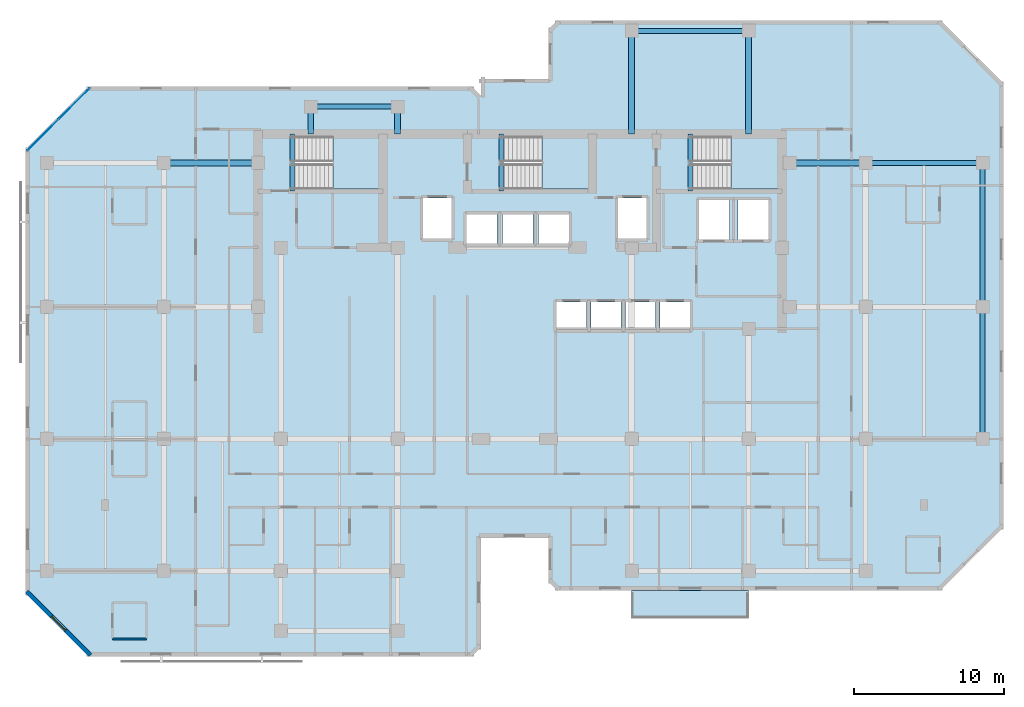
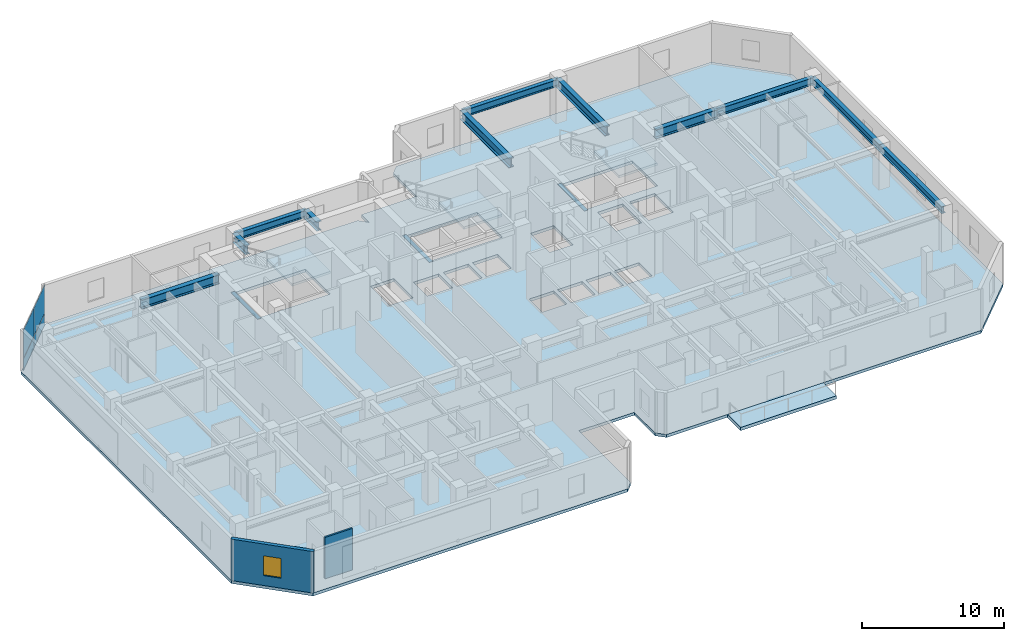
# One storey, part 3 of 11: 14 beams, 5 slabs, 4 plates, 2 walls, 1 window, 1 opening, 4 elements without a shape of their own.
"""IFC4 building model written with IfcOpenShell, lengths in metres."""

import ifcopenshell
import ifcopenshell.guid

model = None  # the IFC model being written
_history = None  # IfcOwnerHistory: only IFC2X3 demands one
_inside = {}  # id of a spatial element -> (the spatial element, [elements in it])
_under = {}  # id of a project, library or spatial element -> (it, [spatial elements below it])
_declared = {}  # id of a project -> (the project, [libraries it declares])
_typed = {}  # id of a type object -> (the type object, [elements of that type])
_made_of = {}  # id of a material, layer set ... -> (it, [elements and type objects made of it])


def new_model(schema):
    """Start an empty IFC model of exactly this schema.

    Asked for "IFC4X3", IfcOpenShell would pick the latest addendum, in which some entities
    have other attributes; the version numbers below select the first issue.
    IFC2X3 requires an IfcOwnerHistory on every rooted entity: one is made here for all.
    """
    global model, _history
    if schema == "IFC4X3":
        model = ifcopenshell.file(schema_version=(4, 3, 0, 0))
    else:
        model = ifcopenshell.file(schema=schema)
    _inside.clear()
    _under.clear()
    _declared.clear()
    _typed.clear()
    _made_of.clear()
    _history = None
    if model.schema == "IFC2X3":
        org = make("IfcOrganization", Name="unknown")
        user = make(
            "IfcPersonAndOrganization",
            ThePerson=make("IfcPerson", FamilyName="unknown"),
            TheOrganization=org,
        )
        app = make(
            "IfcApplication",
            ApplicationDeveloper=org,
            Version="unknown",
            ApplicationFullName="unknown",
            ApplicationIdentifier="unknown",
        )
        _history = make(
            "IfcOwnerHistory",
            OwningUser=user,
            OwningApplication=app,
            ChangeAction="ADDED",
            CreationDate=0,
        )
    return model


def make(cls, **values):
    """One entity of the class cls with the attributes given. An attribute that is None is left unset."""
    return model.create_entity(
        cls, **{name: value for name, value in values.items() if value is not None}
    )


def rooted(cls, **values):
    """An entity with a GlobalId (a new one), such as an element, a storey or a relation."""
    return make(cls, GlobalId=ifcopenshell.guid.new(), OwnerHistory=_history, **values)


def si_unit(unit_type, name, prefix=None):
    """IfcSIUnit, for example si_unit("LENGTHUNIT", "METRE", prefix="MILLI")."""
    return make("IfcSIUnit", UnitType=unit_type, Prefix=prefix, Name=name)


def assignment(units):
    """IfcUnitAssignment: the units of a project."""
    return None if units is None else make("IfcUnitAssignment", Units=units)


def point(xyz):
    """IfcCartesianPoint."""
    return None if xyz is None else make("IfcCartesianPoint", Coordinates=xyz)


def direction(xyz):
    """IfcDirection."""
    return None if xyz is None else make("IfcDirection", DirectionRatios=xyz)


def frame(location, z_axis=None, x_axis=None):
    """IfcAxis2Placement3D, a coordinate frame: its origin and axes. An axis left out is left unset."""
    return make(
        "IfcAxis2Placement3D",
        Location=point(location),
        Axis=direction(z_axis),
        RefDirection=direction(x_axis),
    )


def frame_2d(location, x_axis=None):
    """IfcAxis2Placement2D, a coordinate frame in the plane: its origin and x axis."""
    return make(
        "IfcAxis2Placement2D", Location=point(location), RefDirection=direction(x_axis)
    )


def origin():
    """The frame at (0, 0, 0) with its axes left unset."""
    return frame((0.0, 0.0, 0.0))


def origin_2d():
    """The frame at (0, 0) in the plane with its x axis left unset."""
    return frame_2d((0.0, 0.0))


def place(relative_to, where):
    """IfcLocalPlacement: puts the frame where relative to a parent placement (None: the world)."""
    return make(
        "IfcLocalPlacement", PlacementRelTo=relative_to, RelativePlacement=where
    )


def context(
    kind, dimensions, precision=None, world=None, true_north=None, identifier=None
):
    """IfcGeometricRepresentationContext, for example the 3D "Model" context."""
    return make(
        "IfcGeometricRepresentationContext",
        ContextIdentifier=identifier,
        ContextType=kind,
        CoordinateSpaceDimension=dimensions,
        Precision=precision,
        WorldCoordinateSystem=world,
        TrueNorth=true_north,
    )


def subcontext(parent, identifier, kind, view, scale=None):
    """IfcGeometricRepresentationSubContext, for example "Body" below "Model"."""
    return make(
        "IfcGeometricRepresentationSubContext",
        ContextIdentifier=identifier,
        ContextType=kind,
        ParentContext=parent,
        TargetScale=scale,
        TargetView=view,
    )


def project(units=None, contexts=None):
    """IfcProject with its units and contexts."""
    return rooted(
        "IfcProject",
        Name="project",
        RepresentationContexts=contexts,
        UnitsInContext=assignment(units),
    )


def spatial(cls, under=None, at=None, **own):
    """A site, building, storey or space (cls), placed at a placement, below another one or the project."""
    s = rooted(cls, ObjectPlacement=at, **own)
    if under is not None:
        _under.setdefault(under.id(), (under, []))[1].append(s)
    return s


def polyline(points):
    """IfcPolyline through the points."""
    return make("IfcPolyline", Points=[point(p) for p in points])


def profile(cls, at=None, kind="AREA", **sizes):
    """A parametric profile (cls). Its sizes go by their IFC names, for example OverallWidth=200.0."""
    return make(cls, ProfileType=kind, Position=at, **sizes)


def rectangle(**sizes):
    """IfcRectangleProfileDef."""
    return profile("IfcRectangleProfileDef", **sizes)


def i_section(**sizes):
    """IfcIShapeProfileDef."""
    return profile("IfcIShapeProfileDef", **sizes)


def outline(outer, holes=None, kind="AREA"):
    """IfcArbitraryClosedProfileDef: a profile drawn as a closed curve; with holes, ...WithVoids."""
    if holes is None:
        return make("IfcArbitraryClosedProfileDef", ProfileType=kind, OuterCurve=outer)
    return make(
        "IfcArbitraryProfileDefWithVoids",
        ProfileType=kind,
        OuterCurve=outer,
        InnerCurves=holes,
    )


def extrude(swept, where, along, depth):
    """IfcExtrudedAreaSolid: the profile swept, set in the frame where, extruded along a direction by depth."""
    return make(
        "IfcExtrudedAreaSolid",
        SweptArea=swept,
        Position=where,
        ExtrudedDirection=direction(along),
        Depth=depth,
    )


def shape(context_of_items, identifier, shape_type, items):
    """IfcShapeRepresentation: the items that make up one representation, for example the "Body"."""
    return make(
        "IfcShapeRepresentation",
        ContextOfItems=context_of_items,
        RepresentationIdentifier=identifier,
        RepresentationType=shape_type,
        Items=items,
    )


def material(Name=None, Category=None):
    """IfcMaterial."""
    return make("IfcMaterial", Name=Name, Category=Category)


def layer(
    of_material, thickness, ventilated=None, Name=None, Category=None, Priority=None
):
    """IfcMaterialLayer: one layer of a wall or slab, of a material (None: an air gap)."""
    return make(
        "IfcMaterialLayer",
        Material=of_material,
        LayerThickness=thickness,
        IsVentilated=ventilated,
        Name=Name,
        Category=Category,
        Priority=Priority,
    )


def layer_set(layers, Name=None):
    """IfcMaterialLayerSet."""
    return make("IfcMaterialLayerSet", MaterialLayers=layers, LayerSetName=Name)


def material_profile(
    of_material, cross_section, Name=None, Category=None, Priority=None
):
    """IfcMaterialProfile: a cross section and its material."""
    return make(
        "IfcMaterialProfile",
        Name=Name,
        Material=of_material,
        Profile=cross_section,
        Priority=Priority,
        Category=Category,
    )


def profile_set(profiles, Name=None, composite=None):
    """IfcMaterialProfileSet."""
    return make(
        "IfcMaterialProfileSet",
        Name=Name,
        MaterialProfiles=profiles,
        CompositeProfile=composite,
    )


def made_of(thing, what):
    """Note that an element or type object is made of a material, layer set ...; save() writes the relation."""
    if what is not None:
        _made_of.setdefault(what.id(), (what, []))[1].append(thing)
    return thing


def type_object(cls, material=None, **own):
    """A type object (cls), such as IfcWallType, which elements share."""
    return made_of(rooted(cls, **own), material)


def element(
    cls,
    number,
    at=None,
    inside=None,
    cuts=None,
    type_object=None,
    material=None,
    context=None,
    identifier="Body",
    shape_type=None,
    held_by="IfcProductDefinitionShape",
    body=None,
    shapes=None,
    **own,
):
    """One element of the class cls, such as IfcWall. Its Tag is "e" and its number.

    at: its placement. inside: the storey or other place that contains it. cuts: it is an
    opening in that element (IfcRelVoidsElement). A single representation is given by context,
    identifier, shape_type and body (its items); several are given by shapes. held_by: the class
    of the entity that holds the representations. save() writes the other relations.
    """
    e = rooted(cls, Tag="e%d" % number, ObjectPlacement=at, **own)
    if body is not None:
        shapes = [shape(context, identifier, shape_type, body)]
    if shapes is not None:
        e.Representation = make(held_by, Representations=shapes)
    if inside is not None:
        _inside.setdefault(inside.id(), (inside, []))[1].append(e)
    if cuts is not None:
        rooted(
            "IfcRelVoidsElement", RelatingBuildingElement=cuts, RelatedOpeningElement=e
        )
    if type_object is not None:
        _typed.setdefault(type_object.id(), (type_object, []))[1].append(e)
    return made_of(e, material)


def fill(opening, filler):
    """IfcRelFillsElement: the door or window that sits in an opening."""
    return rooted(
        "IfcRelFillsElement",
        RelatingOpeningElement=opening,
        RelatedBuildingElement=filler,
    )


def aggregate(whole, parts):
    """IfcRelAggregates: a whole, such as a stair, and the parts it consists of."""
    return rooted("IfcRelAggregates", RelatingObject=whole, RelatedObjects=parts)


def save(model, path):
    """Write the relations noted so far, then the file.

    IfcRelAggregates (storeys below a building ...), IfcRelContainedInSpatialStructure (elements
    in a storey), IfcRelDefinesByType, IfcRelAssociatesMaterial and IfcRelDeclares: one each for
    every whole, place, type object, material and project.
    """
    for whole, parts in _under.values():
        aggregate(whole, parts)
    for where, things in _inside.values():
        rooted(
            "IfcRelContainedInSpatialStructure",
            RelatedElements=things,
            RelatingStructure=where,
        )
    for kind, things in _typed.values():
        rooted("IfcRelDefinesByType", RelatedObjects=things, RelatingType=kind)
    for what, things in _made_of.values():
        rooted("IfcRelAssociatesMaterial", RelatedObjects=things, RelatingMaterial=what)
    for by, libraries in _declared.values():
        rooted("IfcRelDeclares", RelatingContext=by, RelatedDefinitions=libraries)
    model.write(path)


model = new_model("IFC4")

# Units and contexts
model_context = context("Model", 3, precision=1e-05, world=origin(), true_north=direction((0.0, 1.0)))
body_context = subcontext(model_context, "Body", "Model", "MODEL_VIEW")
ifc_project = project(units=[si_unit("LENGTHUNIT", "METRE"), si_unit("AREAUNIT", "SQUARE_METRE"), si_unit("VOLUMEUNIT", "CUBIC_METRE"), si_unit("PLANEANGLEUNIT", "RADIAN"), si_unit("MASSUNIT", "GRAM", prefix="KILO")], contexts=[model_context])

# Site, building, storey
site_placement = place(None, origin())
site = spatial("IfcSite", under=ifc_project, at=site_placement, CompositionType="ELEMENT")
building_placement = place(site_placement, origin())
building = spatial("IfcBuilding", under=site, at=building_placement, Name="Kestravale Grand Hotel", CompositionType="ELEMENT")
storey_placement = place(building_placement, frame((0.0, 0.0, 228.0)))
storey = spatial("IfcBuildingStorey", under=building, at=storey_placement, Name="L57", CompositionType="ELEMENT", Elevation=228.0)

# Beams
ifc_material_1 = material(Name="Concrete f'c 45 MPa", Category="concrete")
ifc_material_profile_1 = material_profile(ifc_material_1, rectangle(XDim=0.300048828125, YDim=0.39990234375, at=origin_2d()))
ifc_profile_set_1 = profile_set([ifc_material_profile_1], Name="Concrete f'c 45 MPa")
beam_type_1 = type_object("IfcBeamType", Name="B-FLR-LNT400", PredefinedType="LINTEL", material=ifc_profile_set_1)
for number, where, z_axis, x_axis, name in (
    (1, (24.159912109375, 36.52001953125, -0.199951171875), (0.0, 1.0, 0.0), (-1.0, 0.0, 0.0), "L57 ST1 flight bottom header beam"),
    (2, (38.110107421875, 36.52001953125, -0.199951171875), (0.0, 1.0, 0.0), (-1.0, 0.0, 0.0), "L57 ST2 flight bottom header beam"),
    (3, (50.7099609375, 36.52001953125, -0.199951171875), (0.0, 1.0, 0.0), (-1.0, 0.0, 0.0), "L57 ST3 flight bottom header beam"),
):
    element("IfcBeam", number, at=place(storey_placement, frame(where, z_axis=z_axis, x_axis=x_axis)), inside=storey, type_object=beam_type_1, Name=name, PredefinedType="LINTEL", context=body_context, shape_type="SweptSolid", body=[
        extrude(rectangle(XDim=0.300048828125, YDim=0.39990234375, at=origin_2d()), origin(), (0.0, 0.0, 1.0), 3.800048828125),
    ])
ifc_material_2 = material(Name="Steel ASTM A992 Grade 50", Category="steel")
ifc_material_profile_2 = material_profile(ifc_material_2, i_section(OverallWidth=0.324951171875, OverallDepth=0.612060546875, WebThickness=0.0126953125, FlangeThickness=0.01904296875, FilletRadius=0.018798828125, at=origin_2d()))
ifc_profile_set_2 = profile_set([ifc_material_profile_2], Name="Steel ASTM A992 Grade 50")
beam_type_2 = type_object("IfcBeamType", Name="B-FLR-W24A", PredefinedType="SPANDREL", material=ifc_profile_set_2)
for number, where, z_axis, x_axis, name in (
    (4, (62.39990234375, 38.39990234375, 3.25390625), (1.0, 0.0, 0.0), (0.0, 1.0, 0.0), "L57 spandrel F:10-11"),
    (5, (46.800048828125, 47.199951171875, 3.25390625), (1.0, 0.0, 0.0), (0.0, 1.0, 0.0), "L57 spandrel G:8-9"),
):
    element("IfcBeam", number, at=place(storey_placement, frame(where, z_axis=z_axis, x_axis=x_axis)), inside=storey, type_object=beam_type_2, Name=name, PredefinedType="SPANDREL", context=body_context, shape_type="SweptSolid", body=[
        extrude(i_section(OverallWidth=0.324951171875, OverallDepth=0.612060546875, WebThickness=0.0126953125, FlangeThickness=0.01904296875, FilletRadius=0.018798828125, at=origin_2d()), origin(), (0.0, 0.0, 1.0), 7.800048828125),
    ])
beam_1_placement = place(storey_placement, frame((25.39990234375, 42.14990234375, 3.25390625), z_axis=(1.0, 0.0, 0.0), x_axis=(0.0, 1.0, 0.0)))
element("IfcBeam", 6, at=beam_1_placement, inside=storey, type_object=beam_type_2, Name="L57 perimeter tie spandrel FN:4-5", PredefinedType="SPANDREL", context=body_context, shape_type="SweptSolid", body=[
    extrude(i_section(OverallWidth=0.324951171875, OverallDepth=0.612060546875, WebThickness=0.0126953125, FlangeThickness=0.01904296875, FilletRadius=0.018798828125, at=origin_2d()), origin(), (0.0, 0.0, 1.0), 5.800048828125),
])
beam_2_placement = place(storey_placement, frame((70.199951171875, 20.0, 3.25390625), z_axis=(0.0, 1.0, 0.0), x_axis=(-1.0, 0.0, 0.0)))
element("IfcBeam", 7, at=beam_2_placement, inside=storey, type_object=beam_type_2, Name="L57 spandrel 11:D-E", PredefinedType="SPANDREL", context=body_context, shape_type="SweptSolid", body=[
    extrude(i_section(OverallWidth=0.324951171875, OverallDepth=0.612060546875, WebThickness=0.0126953125, FlangeThickness=0.01904296875, FilletRadius=0.018798828125, at=origin_2d()), origin(), (0.0, 0.0, 1.0), 8.800048828125),
])
beam_3_placement = place(storey_placement, frame((70.199951171875, 28.800048828125, 3.25390625), z_axis=(0.0, 1.0, 0.0), x_axis=(-1.0, 0.0, 0.0)))
element("IfcBeam", 8, at=beam_3_placement, inside=storey, type_object=beam_type_2, Name="L57 spandrel 11:E-F", PredefinedType="SPANDREL", context=body_context, shape_type="SweptSolid", body=[
    extrude(i_section(OverallWidth=0.324951171875, OverallDepth=0.612060546875, WebThickness=0.0126953125, FlangeThickness=0.01904296875, FilletRadius=0.018798828125, at=origin_2d()), origin(), (0.0, 0.0, 1.0), 9.599853515625),
])
ifc_material_3 = material(Name="Steel ASTM A992 Grade 50", Category="steel")
ifc_material_profile_3 = material_profile(ifc_material_3, i_section(OverallWidth=0.381103515625, OverallDepth=0.77197265625, WebThickness=0.0166015625, FlangeThickness=0.027099609375, FilletRadius=0.023681640625, at=origin_2d()))
ifc_profile_set_3 = profile_set([ifc_material_profile_3], Name="Steel ASTM A992 Grade 50")
beam_type_3 = type_object("IfcBeamType", Name="B-GRD-W30", PredefinedType="BEAM", material=ifc_profile_set_3)
beam_4_placement = place(storey_placement, frame((15.60009765625, 38.39990234375, 3.174072265625), z_axis=(1.0, 0.0, 0.0), x_axis=(0.0, 1.0, 0.0)))
element("IfcBeam", 9, at=beam_4_placement, inside=storey, type_object=beam_type_3, Name="L57 girder F:3-CW", PredefinedType="BEAM", context=body_context, shape_type="SweptSolid", body=[
    extrude(i_section(OverallWidth=0.381103515625, OverallDepth=0.77197265625, WebThickness=0.0166015625, FlangeThickness=0.027099609375, FilletRadius=0.023681640625, at=origin_2d()), origin(), (0.0, 0.0, 1.0), 6.2998046875),
])
beam_5_placement = place(storey_placement, frame((57.35009765625, 38.39990234375, 3.174072265625), z_axis=(1.0, 0.0, 0.0), x_axis=(0.0, 1.0, 0.0)))
element("IfcBeam", 10, at=beam_5_placement, inside=storey, type_object=beam_type_3, Name="L57 girder F:CE-10", PredefinedType="BEAM", context=body_context, shape_type="SweptSolid", body=[
    extrude(i_section(OverallWidth=0.381103515625, OverallDepth=0.77197265625, WebThickness=0.0166015625, FlangeThickness=0.027099609375, FilletRadius=0.023681640625, at=origin_2d()), origin(), (0.0, 0.0, 1.0), 5.0498046875),
])
for number, where, z_axis, x_axis, name in (
    (11, (25.39990234375, 40.320068359375, 3.174072265625), (0.0, 1.0, 0.0), (-1.0, 0.0, 0.0), "L57 north wing tie girder 4:CN-FN"),
    (12, (31.199951171875, 40.320068359375, 3.174072265625), (0.0, 1.0, 0.0), (-1.0, 0.0, 0.0), "L57 north wing tie girder 5:CN-FN"),
):
    element("IfcBeam", number, at=place(storey_placement, frame(where, z_axis=z_axis, x_axis=x_axis)), inside=storey, type_object=beam_type_3, Name=name, PredefinedType="BEAM", context=body_context, shape_type="SweptSolid", body=[
        extrude(i_section(OverallWidth=0.381103515625, OverallDepth=0.77197265625, WebThickness=0.0166015625, FlangeThickness=0.027099609375, FilletRadius=0.023681640625, at=origin_2d()), origin(), (0.0, 0.0, 1.0), 1.829833984375),
    ])
for number, where, z_axis, x_axis, name in (
    (13, (46.800048828125, 40.320068359375, 3.174072265625), (0.0, 1.0, 0.0), (-1.0, 0.0, 0.0), "L57 north wing tie girder 8:CN-G"),
    (14, (54.60009765625, 40.320068359375, 3.174072265625), (0.0, 1.0, 0.0), (-1.0, 0.0, 0.0), "L57 north wing tie girder 9:CN-G"),
):
    element("IfcBeam", number, at=place(storey_placement, frame(where, z_axis=z_axis, x_axis=x_axis)), inside=storey, type_object=beam_type_3, Name=name, PredefinedType="BEAM", context=body_context, shape_type="SweptSolid", body=[
        extrude(i_section(OverallWidth=0.381103515625, OverallDepth=0.77197265625, WebThickness=0.0166015625, FlangeThickness=0.027099609375, FilletRadius=0.023681640625, at=origin_2d()), origin(), (0.0, 0.0, 1.0), 6.8798828125),
    ])

# Curtain wall, plates
ifc_material_4 = material(Name="Thermally broken champagne-bronze aluminium and low-E glazing", Category="aluminium")
ifc_layer_1 = layer(ifc_material_4, 0.179931640625)
ifc_layer_set_1 = layer_set([ifc_layer_1], Name="CW-Z3")
curtain_wall_type = type_object("IfcCurtainWallType", Name="CW-Z3", PredefinedType="NOTDEFINED", material=ifc_layer_set_1)
curtain_wall_placement = place(storey_placement, origin())
curtain_wall = element("IfcCurtainWall", 15, at=curtain_wall_placement, inside=storey, type_object=curtain_wall_type, Name="L57 unitised curtain wall 18", PredefinedType="NOTDEFINED")
ifc_material_5 = material(Name="Insulated clear low-E double glazing IGU", Category="glass")
ifc_layer_2 = layer(ifc_material_5, 0.031982421875)
ifc_layer_set_2 = layer_set([ifc_layer_2], Name="CW-PNL-32")
plate_type = type_object("IfcPlateType", Name="CW-PNL-32", PredefinedType="CURTAIN_PANEL", material=ifc_layer_set_2)
plate_1_placement = place(storey_placement, frame((9.64453125, 42.3466796875, 0.06494140625), z_axis=(0.0, 0.0, 1.0), x_axis=(-0.707106781187, -0.707106781187, 0.0)))
plate_1 = element("IfcPlate", 16, at=plate_1_placement, type_object=plate_type, Name="CW-Z3 panel 1.1", PredefinedType="CURTAIN_PANEL", context=body_context, shape_type="SweptSolid", body=[
    extrude(rectangle(XDim=2.892333984375, YDim=0.031982421875, at=origin_2d()), origin(), (0.0, 0.0, 1.0), 0.952392578125),
])
plate_2_placement = place(storey_placement, frame((9.64453125, 42.3466796875, 1.08251953125), z_axis=(0.0, 0.0, 1.0), x_axis=(-0.707106781187, -0.707106781187, 0.0)))
plate_2 = element("IfcPlate", 17, at=plate_2_placement, type_object=plate_type, Name="CW-Z3 panel 1.2", PredefinedType="CURTAIN_PANEL", context=body_context, shape_type="SweptSolid", body=[
    extrude(rectangle(XDim=2.892333984375, YDim=0.031982421875, at=origin_2d()), origin(), (0.0, 0.0, 1.0), 2.41259765625),
])
plate_3_placement = place(storey_placement, frame((7.553466796875, 40.25537109375, 0.06494140625), z_axis=(0.0, 0.0, 1.0), x_axis=(-0.707106781187, -0.707106781187, 0.0)))
plate_3 = element("IfcPlate", 18, at=plate_3_placement, type_object=plate_type, Name="CW-Z3 panel 2.1", PredefinedType="CURTAIN_PANEL", context=body_context, shape_type="SweptSolid", body=[
    extrude(rectangle(XDim=2.892333984375, YDim=0.031982421875, at=origin_2d()), origin(), (0.0, 0.0, 1.0), 0.952392578125),
])
plate_4_placement = place(storey_placement, frame((7.553466796875, 40.25537109375, 1.08251953125), z_axis=(0.0, 0.0, 1.0), x_axis=(-0.707106781187, -0.707106781187, 0.0)))
plate_4 = element("IfcPlate", 19, at=plate_4_placement, type_object=plate_type, Name="CW-Z3 panel 2.2", PredefinedType="CURTAIN_PANEL", context=body_context, shape_type="SweptSolid", body=[
    extrude(rectangle(XDim=2.892333984375, YDim=0.031982421875, at=origin_2d()), origin(), (0.0, 0.0, 1.0), 2.41259765625),
])
aggregate(curtain_wall, [plate_1, plate_2, plate_3, plate_4])

# Slab
ifc_material_6 = material(Name="Concrete f'c 45 MPa", Category="concrete")
ifc_layer_3 = layer(ifc_material_6, 0.27001953125)
ifc_layer_set_3 = layer_set([ifc_layer_3], Name="ES-TERR-270")
slab_type_1 = type_object("IfcSlabType", Name="ES-TERR-270", PredefinedType="FLOOR", material=ifc_layer_set_3)
slab_1_placement = place(storey_placement, frame((0.0, 0.0, -0.27001953125)))
element("IfcSlab", 20, at=slab_1_placement, inside=storey, type_object=slab_type_1, Name="L57 spiralling planted garden terrace", PredefinedType="FLOOR", context=body_context, shape_type="SweptSolid", body=[
    extrude(outline(polyline([(46.800048828125, 8.050048828125), (54.60009765625, 8.050048828125), (54.60009765625, 9.89990234375), (46.800048828125, 9.89990234375), (46.800048828125, 8.050048828125)])), origin(), (0.0, 0.0, 1.0), 0.27001953125),
])

# Stair, slab
ifc_material_7 = material(Name="Concrete f'c 45 MPa", Category="concrete")
stair_type = type_object("IfcStairType", Name="ST-CORE-390", PredefinedType="HALF_TURN_STAIR", material=ifc_material_7)
stair_1_placement = place(storey_placement, origin())
stair_1 = element("IfcStair", 21, at=stair_1_placement, inside=storey, type_object=stair_type, Name="L57 ST-1", PredefinedType="HALF_TURN_STAIR")
ifc_material_8 = material(Name="Concrete f'c 45 MPa", Category="concrete")
ifc_layer_4 = layer(ifc_material_8, 0.199951171875)
ifc_layer_set_4 = layer_set([ifc_layer_4], Name="SLB-ST-LND200")
slab_type_2 = type_object("IfcSlabType", Name="SLB-ST-LND200", PredefinedType="LANDING", material=ifc_layer_set_4)
slab_2_placement = place(storey_placement, frame((0.0, 0.0, 1.75)))
slab_2 = element("IfcSlab", 22, at=slab_2_placement, type_object=slab_type_2, Name="ST-1 landing 1", PredefinedType="LANDING", context=body_context, shape_type="SweptSolid", body=[
    extrude(outline(polyline([(26.8798828125, 36.64990234375), (30.0, 36.64990234375), (30.0, 40.159912109375), (26.8798828125, 40.159912109375), (26.8798828125, 36.64990234375)])), origin(), (0.0, 0.0, 1.0), 0.199951171875),
])
aggregate(stair_1, [slab_2])

stair_2_placement = place(storey_placement, origin())
stair_2 = element("IfcStair", 23, at=stair_2_placement, inside=storey, type_object=stair_type, Name="L57 ST-2", PredefinedType="HALF_TURN_STAIR")
slab_3_placement = place(storey_placement, frame((0.0, 0.0, 1.75)))
slab_3 = element("IfcSlab", 24, at=slab_3_placement, type_object=slab_type_2, Name="ST-2 landing 1", PredefinedType="LANDING", context=body_context, shape_type="SweptSolid", body=[
    extrude(outline(polyline([(40.830078125, 36.64990234375), (43.949951171875, 36.64990234375), (43.949951171875, 40.159912109375), (40.830078125, 40.159912109375), (40.830078125, 36.64990234375)])), origin(), (0.0, 0.0, 1.0), 0.199951171875),
])
aggregate(stair_2, [slab_3])

stair_3_placement = place(storey_placement, origin())
stair_3 = element("IfcStair", 25, at=stair_3_placement, inside=storey, type_object=stair_type, Name="L57 ST-3", PredefinedType="HALF_TURN_STAIR")
slab_4_placement = place(storey_placement, frame((0.0, 0.0, 1.75)))
slab_4 = element("IfcSlab", 26, at=slab_4_placement, type_object=slab_type_2, Name="ST-3 landing 1", PredefinedType="LANDING", context=body_context, shape_type="SweptSolid", body=[
    extrude(outline(polyline([(53.429931640625, 36.64990234375), (56.550048828125, 36.64990234375), (56.550048828125, 40.159912109375), (53.429931640625, 40.159912109375), (53.429931640625, 36.64990234375)])), origin(), (0.0, 0.0, 1.0), 0.199951171875),
])
aggregate(stair_3, [slab_4])

# Slab
ifc_material_9 = material(Name="Concrete f'c 45 MPa", Category="concrete")
ifc_layer_5 = layer(ifc_material_9, 0.25)
ifc_layer_set_5 = layer_set([ifc_layer_5], Name="SS-FLR-250")
slab_type_3 = type_object("IfcSlabType", Name="SS-FLR-250", PredefinedType="FLOOR", material=ifc_layer_set_5)
slab_5_placement = place(storey_placement, frame((0.0, 0.0, -0.25)))
element("IfcSlab", 27, at=slab_5_placement, inside=storey, type_object=slab_type_3, Name="L57 structural floor slab", PredefinedType="FLOOR", context=body_context, shape_type="SweptSolid", body=[
    extrude(outline(polyline([(10.60009765625, 5.5), (36.14990234375, 5.5), (36.75, 6.10009765625), (36.75, 13.39990234375), (41.25, 13.39990234375), (41.25, 10.5), (41.85009765625, 9.89990234375), (67.39990234375, 9.89990234375), (71.60009765625, 14.10009765625), (71.60009765625, 43.699951171875), (67.39990234375, 47.89990234375), (41.85009765625, 47.89990234375), (41.25, 47.300048828125), (41.25, 44.0), (36.75, 44.0), (36.75, 42.89990234375), (36.14990234375, 43.5), (10.60009765625, 43.5), (6.39990234375, 39.300048828125), (6.39990234375, 9.699951171875), (10.60009765625, 5.5)]), holes=[polyline([(24.080078125, 36.64990234375), (30.0, 36.64990234375), (30.0, 40.159912109375), (24.080078125, 40.159912109375), (24.080078125, 36.64990234375)]), polyline([(38.030029296875, 36.64990234375), (43.949951171875, 36.64990234375), (43.949951171875, 40.159912109375), (38.030029296875, 40.159912109375), (38.030029296875, 36.64990234375)]), polyline([(50.6298828125, 36.64990234375), (56.550048828125, 36.64990234375), (56.550048828125, 40.159912109375), (50.6298828125, 40.159912109375), (50.6298828125, 36.64990234375)]), polyline([(41.804931640625, 27.280029296875), (43.794921875, 27.280029296875), (43.794921875, 29.1201171875), (41.804931640625, 29.1201171875), (41.804931640625, 27.280029296875)]), polyline([(44.10498046875, 27.280029296875), (46.094970703125, 27.280029296875), (46.094970703125, 29.1201171875), (44.10498046875, 29.1201171875), (44.10498046875, 27.280029296875)]), polyline([(46.405029296875, 27.280029296875), (48.39501953125, 27.280029296875), (48.39501953125, 29.1201171875), (46.405029296875, 29.1201171875), (46.405029296875, 27.280029296875)]), polyline([(48.705078125, 27.280029296875), (50.695068359375, 27.280029296875), (50.695068359375, 29.1201171875), (48.705078125, 29.1201171875), (48.705078125, 27.280029296875)]), polyline([(35.780029296875, 33.030029296875), (37.820068359375, 33.030029296875), (37.820068359375, 34.969970703125), (35.780029296875, 34.969970703125), (35.780029296875, 33.030029296875)]), polyline([(38.179931640625, 33.030029296875), (40.219970703125, 33.030029296875), (40.219970703125, 34.969970703125), (38.179931640625, 34.969970703125), (38.179931640625, 33.030029296875)]), polyline([(40.580078125, 33.030029296875), (42.6201171875, 33.030029296875), (42.6201171875, 34.969970703125), (40.580078125, 34.969970703125), (40.580078125, 33.030029296875)]), polyline([(32.905029296875, 33.35498046875), (34.794921875, 33.35498046875), (34.794921875, 36.044921875), (32.905029296875, 36.044921875), (32.905029296875, 33.35498046875)]), polyline([(45.905029296875, 33.35498046875), (47.794921875, 33.35498046875), (47.794921875, 36.044921875), (45.905029296875, 36.044921875), (45.905029296875, 33.35498046875)]), polyline([(51.280029296875, 33.280029296875), (53.320068359375, 33.280029296875), (53.320068359375, 35.919921875), (51.280029296875, 35.919921875), (51.280029296875, 33.280029296875)]), polyline([(53.8798828125, 33.280029296875), (55.919921875, 33.280029296875), (55.919921875, 35.919921875), (53.8798828125, 35.919921875), (53.8798828125, 33.280029296875)])]), origin(), (0.0, 0.0, 1.0), 0.25),
])

# Wall, opening, window
ifc_material_10 = material(Name="Precast concrete f'c 45 MPa", Category="concrete")
ifc_layer_6 = layer(ifc_material_10, 0.280029296875)
ifc_layer_set_6 = layer_set([ifc_layer_6], Name="EW-PREC-280")
wall_type_1 = type_object("IfcWallType", Name="EW-PREC-280", PredefinedType="SOLIDWALL", material=ifc_layer_set_6)
wall_1_placement = place(storey_placement, frame((6.470703125, 9.827392578125, 0.0), z_axis=(0.0, 0.0, 1.0), x_axis=(0.707106781187, -0.707106781187, 0.0)))
wall_1 = element("IfcWall", 28, at=wall_1_placement, inside=storey, type_object=wall_type_1, Name="L57 fluted precast facade wall 20", PredefinedType="SOLIDWALL", context=body_context, shape_type="SweptSolid", body=[
    extrude(rectangle(XDim=6.019775390625, YDim=0.280029296875, at=frame_2d((3.009765625, 0.0))), origin(), (0.0, 0.0, 1.0), 3.56005859375),
])
opening_placement = place(wall_1_placement, frame((2.35986328125, 0.0, 0.85009765625)))
opening = element("IfcOpeningElement", 29, at=opening_placement, cuts=wall_1, Name="Opening W-GUEST-1300", PredefinedType="OPENING", context=body_context, shape_type="SweptSolid", body=[
    extrude(rectangle(XDim=1.300048828125, YDim=1.699951171875, at=frame_2d((0.64990234375, 0.85009765625))), frame((0.0, 0.14990234375, 0.0), z_axis=(0.0, -1.0, 0.0), x_axis=(1.0, 0.0, 0.0)), (0.0, 0.0, 1.0), 0.300048828125),
])
ifc_material_11 = material(Name="Insulated low-E double glazing in aluminium frame", Category="aluminium")
window_type = type_object("IfcWindowType", Name="W-GUEST-1300", PartitioningType="SINGLE_PANEL", PredefinedType="WINDOW", material=ifc_material_11)
window_placement = place(opening_placement, origin())
window = element("IfcWindow", 30, at=window_placement, inside=storey, type_object=window_type, Name="L57 exterior window 20.1", OverallHeight=1.699951171875, OverallWidth=1.300048828125, PartitioningType="SINGLE_PANEL", PredefinedType="WINDOW", context=body_context, shape_type="SweptSolid", body=[
    extrude(rectangle(XDim=1.300048828125, YDim=1.699951171875, at=frame_2d((0.64990234375, 0.85009765625))), frame((0.0, 0.030029296875, 0.0), z_axis=(0.0, -1.0, 0.0), x_axis=(1.0, 0.0, 0.0)), (0.0, 0.0, 1.0), 0.06005859375),
])
fill(opening, window)

# Wall
ifc_material_12 = material(Name="Moisture-resistant tile-backer plumbing chase wall", Category="other")
ifc_layer_7 = layer(ifc_material_12, 0.139892578125)
ifc_layer_set_7 = layer_set([ifc_layer_7], Name="IW-PLB-140")
wall_type_2 = type_object("IfcWallType", Name="IW-PLB-140", PredefinedType="PLUMBINGWALL", material=ifc_layer_set_7)
wall_2_placement = place(storey_placement, frame((12.199951171875, 6.64990234375, 0.0), z_axis=(0.0, 0.0, 1.0), x_axis=(1.0, 0.0, 0.0)))
element("IfcWall", 31, at=wall_2_placement, inside=storey, type_object=wall_type_2, Name="W-L57-U05-BS", PredefinedType="PLUMBINGWALL", context=body_context, shape_type="SweptSolid", body=[
    extrude(rectangle(XDim=2.25, YDim=0.139892578125, at=frame_2d((1.125, 0.0))), origin(), (0.0, 0.0, 1.0), 3.56005859375),
])

save(model, "model.ifc")
